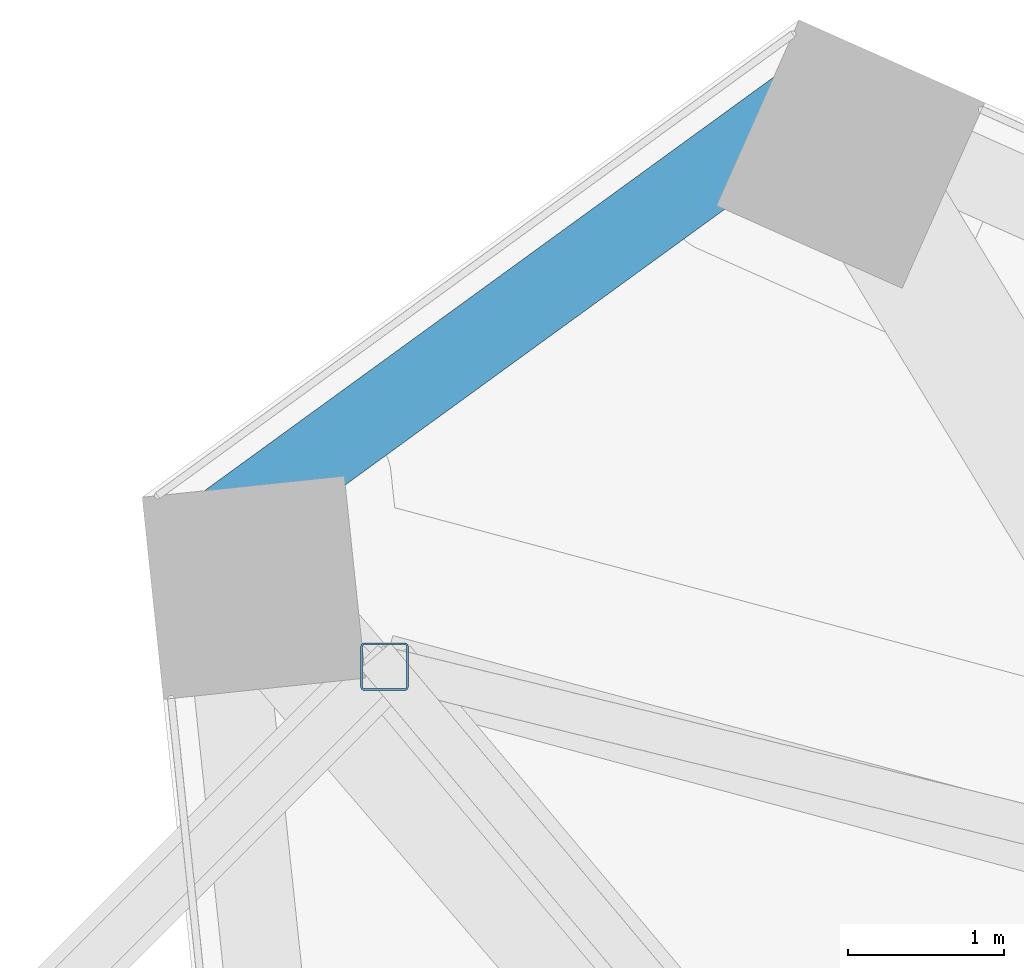
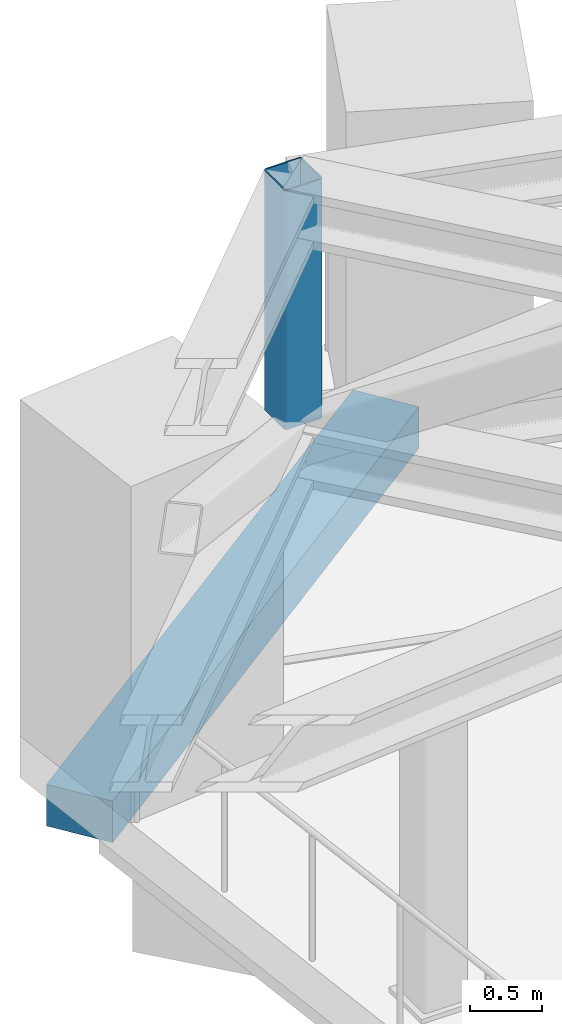
# One storey, part 14 of 26: 1 beam, 1 member.
"""IFC4 building model written with IfcOpenShell, lengths in metres."""

from ifc_helpers import new_model, si_unit, direction, frame, origin, origin_2d, place, context, subcontext, project, spatial, rectangle, hollow_rectangle, extrude, material, material_profile, profile_set, type_object, element, save


model = new_model("IFC4")

# Units and contexts
model_context = context("Model", 3, precision=1e-05, world=origin(), true_north=direction((0.0, 1.0)))
body_context = subcontext(model_context, "Body", "Model", "MODEL_VIEW")
ifc_project = project(units=[si_unit("LENGTHUNIT", "METRE"), si_unit("AREAUNIT", "SQUARE_METRE"), si_unit("VOLUMEUNIT", "CUBIC_METRE"), si_unit("PLANEANGLEUNIT", "RADIAN"), si_unit("MASSUNIT", "GRAM", prefix="KILO")], contexts=[model_context])

# Site, building, storey
site_placement = place(None, origin())
site = spatial("IfcSite", under=ifc_project, at=site_placement, CompositionType="ELEMENT")
building_placement = place(site_placement, origin())
building = spatial("IfcBuilding", under=site, at=building_placement, Name="Tramontana Tower", CompositionType="ELEMENT")
storey_placement = place(building_placement, frame((0.0, 0.0, 194.800048828125)))
storey = spatial("IfcBuildingStorey", under=building, at=storey_placement, Name="L45", CompositionType="ELEMENT", Elevation=194.800048828125)

# Member
ifc_material_1 = material(Name="Steel ASTM A500 Grade C", Category="steel")
ifc_material_profile_1 = material_profile(ifc_material_1, hollow_rectangle(XDim=0.3046875, YDim=0.3046875, WallThickness=0.01171875, InnerFilletRadius=0.01171875, OuterFilletRadius=0.023681640625, at=origin_2d()), Name="HSS12X12X1/2")
ifc_profile_set_1 = profile_set([ifc_material_profile_1], Name="Steel ASTM A500 Grade C")
member_type = type_object("IfcMemberType", Name="Belt truss HSS12X12X1/2 post", PredefinedType="POST", material=ifc_profile_set_1)
member_placement = place(storey_placement, frame((-17.89111328125, 21.2548828125, 2.8349609375), z_axis=(0.0, 0.0, 1.0), x_axis=(1.0, 0.0, 0.0)))
element("IfcMember", 1, at=member_placement, inside=storey, type_object=member_type, Name="Belt truss post C5K6", PredefinedType="POST", context=body_context, shape_type="SweptSolid", body=[
    extrude(hollow_rectangle(XDim=0.3046875, YDim=0.3046875, WallThickness=0.01171875, InnerFilletRadius=0.01171875, OuterFilletRadius=0.023681640625, at=origin_2d()), origin(), (0.0, 0.0, 1.0), 2.014892578125),
])

# Beam
ifc_material_2 = material(Name="Concrete 40 MPa", Category="concrete")
ifc_material_profile_2 = material_profile(ifc_material_2, rectangle(XDim=0.5, YDim=0.35009765625, at=origin_2d()), Name="RC EDGE BEAM 500X350 40 MPa")
ifc_profile_set_2 = profile_set([ifc_material_profile_2], Name="Concrete 40 MPa")
beam_type = type_object("IfcBeamType", Name="RC EDGE BEAM 500X350 40 MPa", PredefinedType="SPANDREL", material=ifc_profile_set_2)
beam_placement = place(storey_placement, frame((-14.973388671875, 25.029052734375, -0.525146484375), z_axis=(-0.809008263593, -0.587797268995, 0.0), x_axis=(0.587797268995, -0.809008263593, 0.0)))
element("IfcBeam", 2, at=beam_placement, inside=storey, type_object=beam_type, Name="Spandrel beam K0 L45", PredefinedType="SPANDREL", context=body_context, shape_type="SweptSolid", body=[
    extrude(rectangle(XDim=0.5, YDim=0.35009765625, at=origin_2d()), origin(), (0.0, 0.0, 1.0), 5.196044921875),
])

save(model, "model.ifc")
